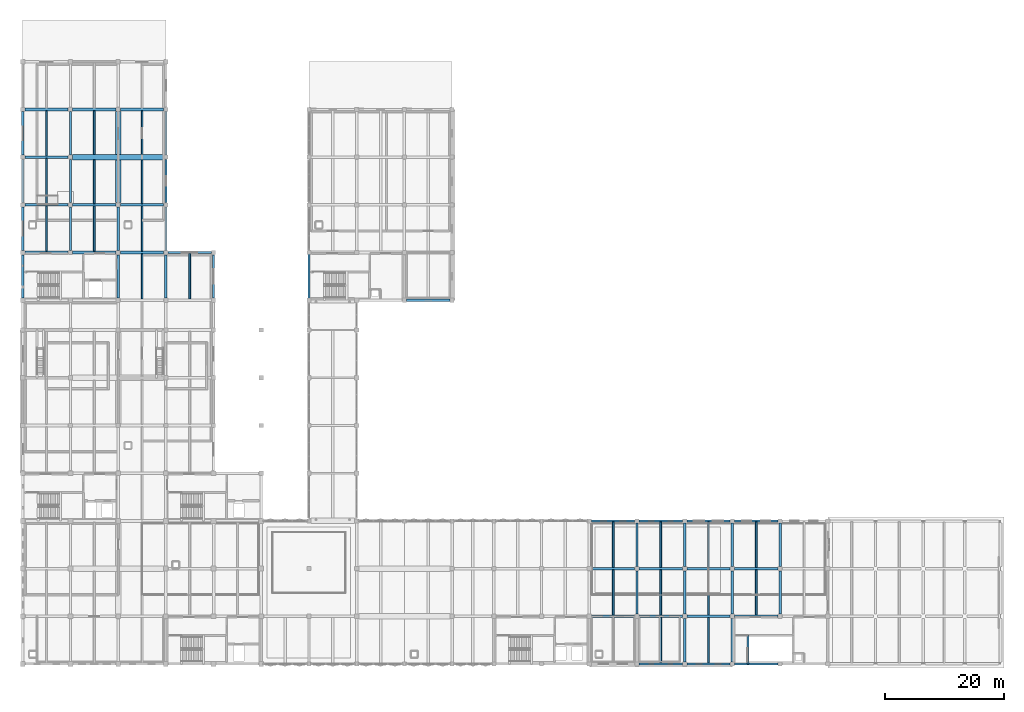
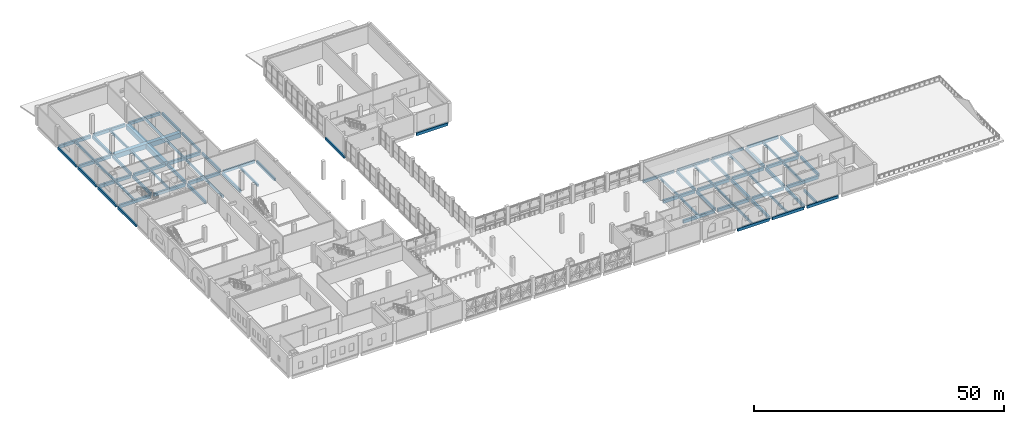
# One storey, part 17 of 45: 76 beams.
"""IFC4 building model written with IfcOpenShell, lengths in metres."""

from ifc_helpers import new_model, si_unit, direction, frame, origin, origin_2d, place, context, subcontext, project, spatial, rectangle, extrude, material, material_profile, profile_set, type_object, element, save


model = new_model("IFC4")

# Units and contexts
model_context = context("Model", 3, precision=1e-05, world=origin(), true_north=direction((0.0, 1.0)))
body_context = subcontext(model_context, "Body", "Model", "MODEL_VIEW")
ifc_project = project(units=[si_unit("LENGTHUNIT", "METRE"), si_unit("AREAUNIT", "SQUARE_METRE"), si_unit("VOLUMEUNIT", "CUBIC_METRE"), si_unit("PLANEANGLEUNIT", "RADIAN"), si_unit("MASSUNIT", "GRAM", prefix="KILO")], contexts=[model_context])

# Site, building, storey
site_placement = place(None, origin())
site = spatial("IfcSite", under=ifc_project, at=site_placement, CompositionType="ELEMENT")
building_placement = place(site_placement, origin())
building = spatial("IfcBuilding", under=site, at=building_placement, Name="Qorikala Patio Media Centre", CompositionType="ELEMENT")
storey_placement = place(building_placement, frame((0.0, 0.0, 9.89990234375)))
storey = spatial("IfcBuildingStorey", under=building, at=storey_placement, Name="L02", CompositionType="ELEMENT", Elevation=9.89990234375)

# Beams
ifc_material = material(Name="Concrete C35/45", Category="concrete")
ifc_material_profile_1 = material_profile(ifc_material, rectangle(XDim=0.35009765625, YDim=0.60009765625, at=origin_2d()), Name="RC 350x600")
ifc_profile_set_1 = profile_set([ifc_material_profile_1], Name="Concrete C35/45")
beam_type_1 = type_object("IfcBeamType", Name="BM-G350X600", PredefinedType="BEAM", material=ifc_profile_set_1)
beam_1_placement = place(storey_placement, frame((124.60009765625, 3.0, -0.2998046875), z_axis=(0.0, 1.0, 0.0), x_axis=(-1.0, 0.0, 0.0)))
element("IfcBeam", 1, at=beam_1_placement, inside=storey, type_object=beam_type_1, Name="L02 ST-7 Well Trimmer Beam", PredefinedType="BEAM", context=body_context, shape_type="SweptSolid", body=[
    extrude(rectangle(XDim=0.35009765625, YDim=0.60009765625, at=origin_2d()), origin(), (0.0, 0.0, 1.0), 4.8798828125),
])
ifc_material_profile_2 = material_profile(ifc_material, rectangle(XDim=0.39990234375, YDim=0.699951171875, at=origin_2d()), Name="RC 400x700")
ifc_profile_set_2 = profile_set([ifc_material_profile_2], Name="Concrete C35/45")
beam_type_2 = type_object("IfcBeamType", Name="BM-G400X700", PredefinedType="BEAM", material=ifc_profile_set_2)
for number, where, z_axis, x_axis, name in (
    (2, (11.0, 72.375, -0.64990234375), (0.0, 1.0, 0.0), (-1.0, 0.0, 0.0), "L02 Grid X=11 Beam 0908"),
    (3, (11.0, 80.375, -0.64990234375), (0.0, 1.0, 0.0), (-1.0, 0.0, 0.0), "L02 Grid X=11 Beam 0909"),
    (4, (11.0, 88.375, -0.64990234375), (0.0, 1.0, 0.0), (-1.0, 0.0, 0.0), "L02 Grid X=11 Beam 0910"),
    (5, (19.0, 64.375, -0.64990234375), (0.0, 1.0, 0.0), (-1.0, 0.0, 0.0), "L02 Grid X=19 Beam 0918"),
    (6, (19.0, 72.375, -0.64990234375), (0.0, 1.0, 0.0), (-1.0, 0.0, 0.0), "L02 Grid X=19 Beam 0919"),
    (7, (27.0, 64.375, -0.64990234375), (0.0, 1.0, 0.0), (-1.0, 0.0, 0.0), "L02 Grid X=27 Beam 0930"),
    (8, (106.0, 11.375, -0.64990234375), (0.0, 1.0, 0.0), (-1.0, 0.0, 0.0), "L02 Grid X=106 Beam 0987"),
    (9, (106.0, 19.375, -0.64990234375), (0.0, 1.0, 0.0), (-1.0, 0.0, 0.0), "L02 Grid X=106 Beam 0988"),
    (10, (114.0, 3.375, -0.64990234375), (0.0, 1.0, 0.0), (-1.0, 0.0, 0.0), "L02 Grid X=114 Beam 0989"),
    (11, (114.0, 11.375, -0.64990234375), (0.0, 1.0, 0.0), (-1.0, 0.0, 0.0), "L02 Grid X=114 Beam 0990"),
    (12, (114.0, 19.375, -0.64990234375), (0.0, 1.0, 0.0), (-1.0, 0.0, 0.0), "L02 Grid X=114 Beam 0991"),
    (13, (122.0, 3.375, -0.64990234375), (0.0, 1.0, 0.0), (-1.0, 0.0, 0.0), "L02 Grid X=122 Beam 0992"),
    (14, (122.0, 11.375, -0.64990234375), (0.0, 1.0, 0.0), (-1.0, 0.0, 0.0), "L02 Grid X=122 Beam 0993"),
    (15, (122.0, 19.375, -0.64990234375), (0.0, 1.0, 0.0), (-1.0, 0.0, 0.0), "L02 Grid X=122 Beam 0994"),
    (16, (130.0, 11.375, -0.64990234375), (0.0, 1.0, 0.0), (-1.0, 0.0, 0.0), "L02 Grid X=130 Beam 0995"),
    (17, (130.0, 19.375, -0.64990234375), (0.0, 1.0, 0.0), (-1.0, 0.0, 0.0), "L02 Grid X=130 Beam 0996"),
):
    element("IfcBeam", number, at=place(storey_placement, frame(where, z_axis=z_axis, x_axis=x_axis)), inside=storey, type_object=beam_type_2, Name=name, PredefinedType="BEAM", context=body_context, shape_type="SweptSolid", body=[
        extrude(rectangle(XDim=0.39990234375, YDim=0.699951171875, at=origin_2d()), origin(), (0.0, 0.0, 1.0), 7.25),
    ])
ifc_material_profile_3 = material_profile(ifc_material, rectangle(XDim=0.449951171875, YDim=0.75, at=origin_2d()), Name="RC 450x750")
ifc_profile_set_3 = profile_set([ifc_material_profile_3], Name="Concrete C35/45")
beam_type_3 = type_object("IfcBeamType", Name="BM-G450X750", PredefinedType="BEAM", material=ifc_profile_set_3)
for number, where, z_axis, x_axis, name in (
    (18, (98.375, 11.0, -0.6748046875), (1.0, 0.0, 0.0), (0.0, 1.0, 0.0), "L02 Grid 11 Beam 0787"),
    (19, (106.375, 11.0, -0.6748046875), (1.0, 0.0, 0.0), (0.0, 1.0, 0.0), "L02 Grid 11 Beam 0788"),
    (20, (114.375, 11.0, -0.6748046875), (1.0, 0.0, 0.0), (0.0, 1.0, 0.0), "L02 Grid 11 Beam 0789"),
    (21, (122.375, 11.0, -0.6748046875), (1.0, 0.0, 0.0), (0.0, 1.0, 0.0), "L02 Grid 11 Beam 0790"),
    (22, (98.375, 19.0, -0.6748046875), (1.0, 0.0, 0.0), (0.0, 1.0, 0.0), "L02 Grid 19 Beam 0804"),
    (23, (106.375, 19.0, -0.6748046875), (1.0, 0.0, 0.0), (0.0, 1.0, 0.0), "L02 Grid 19 Beam 0805"),
    (24, (114.375, 19.0, -0.6748046875), (1.0, 0.0, 0.0), (0.0, 1.0, 0.0), "L02 Grid 19 Beam 0806"),
    (25, (122.375, 19.0, -0.6748046875), (1.0, 0.0, 0.0), (0.0, 1.0, 0.0), "L02 Grid 19 Beam 0807"),
    (26, (3.375, 72.0, -0.6748046875), (1.0, 0.0, 0.0), (0.0, 1.0, 0.0), "L02 Grid 72 Beam 0861"),
    (27, (11.375, 72.0, -0.6748046875), (1.0, 0.0, 0.0), (0.0, 1.0, 0.0), "L02 Grid 72 Beam 0862"),
    (28, (19.375, 72.0, -0.6748046875), (1.0, 0.0, 0.0), (0.0, 1.0, 0.0), "L02 Grid 72 Beam 0863"),
    (29, (3.375, 80.0, -0.6748046875), (1.0, 0.0, 0.0), (0.0, 1.0, 0.0), "L02 Grid 80 Beam 0868"),
    (30, (11.375, 80.0, -0.6748046875), (1.0, 0.0, 0.0), (0.0, 1.0, 0.0), "L02 Grid 80 Beam 0869"),
    (31, (19.375, 80.0, -0.6748046875), (1.0, 0.0, 0.0), (0.0, 1.0, 0.0), "L02 Grid 80 Beam 0870"),
    (32, (3.375, 88.0, -0.6748046875), (1.0, 0.0, 0.0), (0.0, 1.0, 0.0), "L02 Grid 88 Beam 0874"),
    (33, (3.375, 96.0, -0.6748046875), (1.0, 0.0, 0.0), (0.0, 1.0, 0.0), "L02 Grid 96 Beam 0879"),
    (34, (11.375, 96.0, -0.6748046875), (1.0, 0.0, 0.0), (0.0, 1.0, 0.0), "L02 Grid 96 Beam 0880"),
    (35, (19.375, 96.0, -0.6748046875), (1.0, 0.0, 0.0), (0.0, 1.0, 0.0), "L02 Grid 96 Beam 0881"),
):
    element("IfcBeam", number, at=place(storey_placement, frame(where, z_axis=z_axis, x_axis=x_axis)), inside=storey, type_object=beam_type_3, Name=name, PredefinedType="BEAM", context=body_context, shape_type="SweptSolid", body=[
        extrude(rectangle(XDim=0.449951171875, YDim=0.75, at=origin_2d()), origin(), (0.0, 0.0, 1.0), 7.25),
    ])
ifc_material_profile_4 = material_profile(ifc_material, rectangle(XDim=0.89990234375, YDim=1.14990234375, at=origin_2d()), Name="RC 900x1150")
ifc_profile_set_4 = profile_set([ifc_material_profile_4], Name="Concrete C35/45")
beam_type_4 = type_object("IfcBeamType", Name="BM-TR900X1150", PredefinedType="BEAM", material=ifc_profile_set_4)
for number, where, z_axis, x_axis, name in (
    (36, (11.375, 88.0, -0.875), (1.0, 0.0, 0.0), (0.0, 1.0, 0.0), "L02 Grid 88 Beam 0875"),
    (37, (19.0, 80.375, -0.875), (0.0, 1.0, 0.0), (-1.0, 0.0, 0.0), "L02 Grid X=19 Transfer Girder 0920"),
):
    element("IfcBeam", number, at=place(storey_placement, frame(where, z_axis=z_axis, x_axis=x_axis)), inside=storey, type_object=beam_type_4, Name=name, PredefinedType="BEAM", context=body_context, shape_type="SweptSolid", body=[
        extrude(rectangle(XDim=0.89990234375, YDim=1.14990234375, at=origin_2d()), origin(), (0.0, 0.0, 1.0), 15.25),
    ])
ifc_material_profile_5 = material_profile(ifc_material, rectangle(XDim=0.300048828125, YDim=0.550048828125, at=origin_2d()), Name="RC 300x550")
ifc_profile_set_5 = profile_set([ifc_material_profile_5], Name="Concrete C35/45")
beam_type_5 = type_object("IfcBeamType", Name="JS-300X550", PredefinedType="JOIST", material=ifc_profile_set_5)
for number, where, z_axis, x_axis, name in (
    (38, (7.0, 72.22509765625, -0.574951171875), (0.0, 1.0, 0.0), (-1.0, 0.0, 0.0), "L02 Secondary Joist 1018"),
    (39, (7.0, 80.22509765625, -0.574951171875), (0.0, 1.0, 0.0), (-1.0, 0.0, 0.0), "L02 Secondary Joist 1019"),
    (40, (7.0, 88.22509765625, -0.574951171875), (0.0, 1.0, 0.0), (-1.0, 0.0, 0.0), "L02 Secondary Joist 1020"),
    (41, (15.0, 72.22509765625, -0.574951171875), (0.0, 1.0, 0.0), (-1.0, 0.0, 0.0), "L02 Secondary Joist 1028"),
):
    element("IfcBeam", number, at=place(storey_placement, frame(where, z_axis=z_axis, x_axis=x_axis)), inside=storey, type_object=beam_type_5, Name=name, PredefinedType="JOIST", context=body_context, shape_type="SweptSolid", body=[
        extrude(rectangle(XDim=0.300048828125, YDim=0.550048828125, at=origin_2d()), origin(), (0.0, 0.0, 1.0), 7.5498046875),
    ])
for number, where, z_axis, x_axis, name in (
    (42, (15.0, 80.22509765625, -0.574951171875), (0.0, 1.0, 0.0), (-1.0, 0.0, 0.0), "L02 Secondary Joist 1029"),
    (43, (15.0, 88.449951171875, -0.574951171875), (0.0, 1.0, 0.0), (-1.0, 0.0, 0.0), "L02 Secondary Joist 1030"),
):
    element("IfcBeam", number, at=place(storey_placement, frame(where, z_axis=z_axis, x_axis=x_axis)), inside=storey, type_object=beam_type_5, Name=name, PredefinedType="JOIST", context=body_context, shape_type="SweptSolid", body=[
        extrude(rectangle(XDim=0.300048828125, YDim=0.550048828125, at=origin_2d()), origin(), (0.0, 0.0, 1.0), 7.324951171875),
    ])
for number, where, z_axis, x_axis, name in (
    (44, (23.0, 64.22509765625, -0.574951171875), (0.0, 1.0, 0.0), (-1.0, 0.0, 0.0), "L02 Secondary Joist 1039"),
    (45, (23.0, 72.22509765625, -0.574951171875), (0.0, 1.0, 0.0), (-1.0, 0.0, 0.0), "L02 Secondary Joist 1040"),
):
    element("IfcBeam", number, at=place(storey_placement, frame(where, z_axis=z_axis, x_axis=x_axis)), inside=storey, type_object=beam_type_5, Name=name, PredefinedType="JOIST", context=body_context, shape_type="SweptSolid", body=[
        extrude(rectangle(XDim=0.300048828125, YDim=0.550048828125, at=origin_2d()), origin(), (0.0, 0.0, 1.0), 7.5498046875),
    ])
for number, where, z_axis, x_axis, name in (
    (46, (23.0, 80.22509765625, -0.574951171875), (0.0, 1.0, 0.0), (-1.0, 0.0, 0.0), "L02 Secondary Joist 1041"),
    (47, (23.0, 88.449951171875, -0.574951171875), (0.0, 1.0, 0.0), (-1.0, 0.0, 0.0), "L02 Secondary Joist 1042"),
):
    element("IfcBeam", number, at=place(storey_placement, frame(where, z_axis=z_axis, x_axis=x_axis)), inside=storey, type_object=beam_type_5, Name=name, PredefinedType="JOIST", context=body_context, shape_type="SweptSolid", body=[
        extrude(rectangle(XDim=0.300048828125, YDim=0.550048828125, at=origin_2d()), origin(), (0.0, 0.0, 1.0), 7.324951171875),
    ])
beam_2_placement = place(storey_placement, frame((31.0, 64.22509765625, -0.574951171875), z_axis=(0.0, 1.0, 0.0), x_axis=(-1.0, 0.0, 0.0)))
element("IfcBeam", 48, at=beam_2_placement, inside=storey, type_object=beam_type_5, Name="L02 Secondary Joist 1049", PredefinedType="JOIST", context=body_context, shape_type="SweptSolid", body=[
    extrude(rectangle(XDim=0.300048828125, YDim=0.550048828125, at=origin_2d()), origin(), (0.0, 0.0, 1.0), 7.599853515625),
])
beam_3_placement = place(storey_placement, frame((102.0, 11.22509765625, -0.574951171875), z_axis=(0.0, 1.0, 0.0), x_axis=(-1.0, 0.0, 0.0)))
element("IfcBeam", 49, at=beam_3_placement, inside=storey, type_object=beam_type_5, Name="L02 Secondary Joist 1082", PredefinedType="JOIST", context=body_context, shape_type="SweptSolid", body=[
    extrude(rectangle(XDim=0.300048828125, YDim=0.550048828125, at=origin_2d()), origin(), (0.0, 0.0, 1.0), 7.5498046875),
])
for number, where, z_axis, x_axis, name in (
    (50, (102.0, 19.22509765625, -0.574951171875), (0.0, 1.0, 0.0), (-1.0, 0.0, 0.0), "L02 Secondary Joist 1083"),
    (51, (110.0, 3.175048828125, -0.574951171875), (0.0, 1.0, 0.0), (-1.0, 0.0, 0.0), "L02 Secondary Joist 1084"),
):
    element("IfcBeam", number, at=place(storey_placement, frame(where, z_axis=z_axis, x_axis=x_axis)), inside=storey, type_object=beam_type_5, Name=name, PredefinedType="JOIST", context=body_context, shape_type="SweptSolid", body=[
        extrude(rectangle(XDim=0.300048828125, YDim=0.550048828125, at=origin_2d()), origin(), (0.0, 0.0, 1.0), 7.599853515625),
    ])
beam_4_placement = place(storey_placement, frame((110.0, 11.22509765625, -0.574951171875), z_axis=(0.0, 1.0, 0.0), x_axis=(-1.0, 0.0, 0.0)))
element("IfcBeam", 52, at=beam_4_placement, inside=storey, type_object=beam_type_5, Name="L02 Secondary Joist 1085", PredefinedType="JOIST", context=body_context, shape_type="SweptSolid", body=[
    extrude(rectangle(XDim=0.300048828125, YDim=0.550048828125, at=origin_2d()), origin(), (0.0, 0.0, 1.0), 7.5498046875),
])
for number, where, z_axis, x_axis, name in (
    (53, (110.0, 19.22509765625, -0.574951171875), (0.0, 1.0, 0.0), (-1.0, 0.0, 0.0), "L02 Secondary Joist 1086"),
    (54, (118.0, 3.175048828125, -0.574951171875), (0.0, 1.0, 0.0), (-1.0, 0.0, 0.0), "L02 Secondary Joist 1087"),
):
    element("IfcBeam", number, at=place(storey_placement, frame(where, z_axis=z_axis, x_axis=x_axis)), inside=storey, type_object=beam_type_5, Name=name, PredefinedType="JOIST", context=body_context, shape_type="SweptSolid", body=[
        extrude(rectangle(XDim=0.300048828125, YDim=0.550048828125, at=origin_2d()), origin(), (0.0, 0.0, 1.0), 7.599853515625),
    ])
beam_5_placement = place(storey_placement, frame((118.0, 11.22509765625, -0.574951171875), z_axis=(0.0, 1.0, 0.0), x_axis=(-1.0, 0.0, 0.0)))
element("IfcBeam", 55, at=beam_5_placement, inside=storey, type_object=beam_type_5, Name="L02 Secondary Joist 1088", PredefinedType="JOIST", context=body_context, shape_type="SweptSolid", body=[
    extrude(rectangle(XDim=0.300048828125, YDim=0.550048828125, at=origin_2d()), origin(), (0.0, 0.0, 1.0), 7.5498046875),
])
beam_6_placement = place(storey_placement, frame((118.0, 19.22509765625, -0.574951171875), z_axis=(0.0, 1.0, 0.0), x_axis=(-1.0, 0.0, 0.0)))
element("IfcBeam", 56, at=beam_6_placement, inside=storey, type_object=beam_type_5, Name="L02 Secondary Joist 1089", PredefinedType="JOIST", context=body_context, shape_type="SweptSolid", body=[
    extrude(rectangle(XDim=0.300048828125, YDim=0.550048828125, at=origin_2d()), origin(), (0.0, 0.0, 1.0), 7.599853515625),
])
beam_7_placement = place(storey_placement, frame((126.0, 11.22509765625, -0.574951171875), z_axis=(0.0, 1.0, 0.0), x_axis=(-1.0, 0.0, 0.0)))
element("IfcBeam", 57, at=beam_7_placement, inside=storey, type_object=beam_type_5, Name="L02 Secondary Joist 1090", PredefinedType="JOIST", context=body_context, shape_type="SweptSolid", body=[
    extrude(rectangle(XDim=0.300048828125, YDim=0.550048828125, at=origin_2d()), origin(), (0.0, 0.0, 1.0), 7.5498046875),
])
beam_8_placement = place(storey_placement, frame((126.0, 19.22509765625, -0.574951171875), z_axis=(0.0, 1.0, 0.0), x_axis=(-1.0, 0.0, 0.0)))
element("IfcBeam", 58, at=beam_8_placement, inside=storey, type_object=beam_type_5, Name="L02 Secondary Joist 1091", PredefinedType="JOIST", context=body_context, shape_type="SweptSolid", body=[
    extrude(rectangle(XDim=0.300048828125, YDim=0.550048828125, at=origin_2d()), origin(), (0.0, 0.0, 1.0), 7.599853515625),
])
ifc_material_profile_6 = material_profile(ifc_material, rectangle(XDim=0.35009765625, YDim=0.679931640625, at=origin_2d()), Name="RC 350x680")
ifc_profile_set_6 = profile_set([ifc_material_profile_6], Name="Concrete C35/45")
beam_type_6 = type_object("IfcBeamType", Name="SP-350X680", PredefinedType="SPANDREL", material=ifc_profile_set_6)
for number, where, z_axis, x_axis, name in (
    (59, (106.375, 3.0, -0.639892578125), (1.0, 0.0, 0.0), (0.0, 1.0, 0.0), "L02 Grid 3 Beam 0768"),
    (60, (114.375, 3.0, -0.639892578125), (1.0, 0.0, 0.0), (0.0, 1.0, 0.0), "L02 Grid 3 Beam 0769"),
    (61, (122.375, 3.0, -0.639892578125), (1.0, 0.0, 0.0), (0.0, 1.0, 0.0), "L02 Grid 3 Beam 0770"),
    (62, (98.375, 27.0, -0.639892578125), (1.0, 0.0, 0.0), (0.0, 1.0, 0.0), "L02 Grid 27 Beam 0825"),
    (63, (106.375, 27.0, -0.639892578125), (1.0, 0.0, 0.0), (0.0, 1.0, 0.0), "L02 Grid 27 Beam 0826"),
    (64, (114.375, 27.0, -0.639892578125), (1.0, 0.0, 0.0), (0.0, 1.0, 0.0), "L02 Grid 27 Beam 0827"),
    (65, (122.375, 27.0, -0.639892578125), (1.0, 0.0, 0.0), (0.0, 1.0, 0.0), "L02 Grid 27 Beam 0828"),
    (66, (67.375, 64.0, -0.639892578125), (1.0, 0.0, 0.0), (0.0, 1.0, 0.0), "L02 Grid 64 Beam 0860"),
    (67, (27.375, 72.0, -0.639892578125), (1.0, 0.0, 0.0), (0.0, 1.0, 0.0), "L02 Grid 72 Beam 0864"),
    (68, (3.0, 64.375, -0.639892578125), (0.0, 1.0, 0.0), (-1.0, 0.0, 0.0), "L02 Grid X=3 Beam 0896"),
    (69, (3.0, 72.375, -0.639892578125), (0.0, 1.0, 0.0), (-1.0, 0.0, 0.0), "L02 Grid X=3 Beam 0897"),
    (70, (3.0, 80.375, -0.639892578125), (0.0, 1.0, 0.0), (-1.0, 0.0, 0.0), "L02 Grid X=3 Beam 0898"),
    (71, (3.0, 88.375, -0.639892578125), (0.0, 1.0, 0.0), (-1.0, 0.0, 0.0), "L02 Grid X=3 Beam 0899"),
    (72, (27.0, 72.375, -0.639892578125), (0.0, 1.0, 0.0), (-1.0, 0.0, 0.0), "L02 Grid X=27 Beam 0931"),
    (73, (27.0, 80.375, -0.639892578125), (0.0, 1.0, 0.0), (-1.0, 0.0, 0.0), "L02 Grid X=27 Beam 0932"),
    (74, (27.0, 88.375, -0.639892578125), (0.0, 1.0, 0.0), (-1.0, 0.0, 0.0), "L02 Grid X=27 Beam 0933"),
    (75, (35.0, 64.375, -0.639892578125), (0.0, 1.0, 0.0), (-1.0, 0.0, 0.0), "L02 Grid X=35 Beam 0941"),
):
    element("IfcBeam", number, at=place(storey_placement, frame(where, z_axis=z_axis, x_axis=x_axis)), inside=storey, type_object=beam_type_6, Name=name, PredefinedType="SPANDREL", context=body_context, shape_type="SweptSolid", body=[
        extrude(rectangle(XDim=0.35009765625, YDim=0.679931640625, at=origin_2d()), origin(), (0.0, 0.0, 1.0), 7.25),
    ])
beam_9_placement = place(storey_placement, frame((51.0, 64.260009765625, -0.639892578125), z_axis=(0.0, 1.0, 0.0), x_axis=(-1.0, 0.0, 0.0)))
element("IfcBeam", 76, at=beam_9_placement, inside=storey, type_object=beam_type_6, Name="L02 Grid X=51 Beam 0952", PredefinedType="SPANDREL", context=body_context, shape_type="SweptSolid", body=[
    extrude(rectangle(XDim=0.35009765625, YDim=0.679931640625, at=origin_2d()), origin(), (0.0, 0.0, 1.0), 7.47998046875),
])

save(model, "model.ifc")
